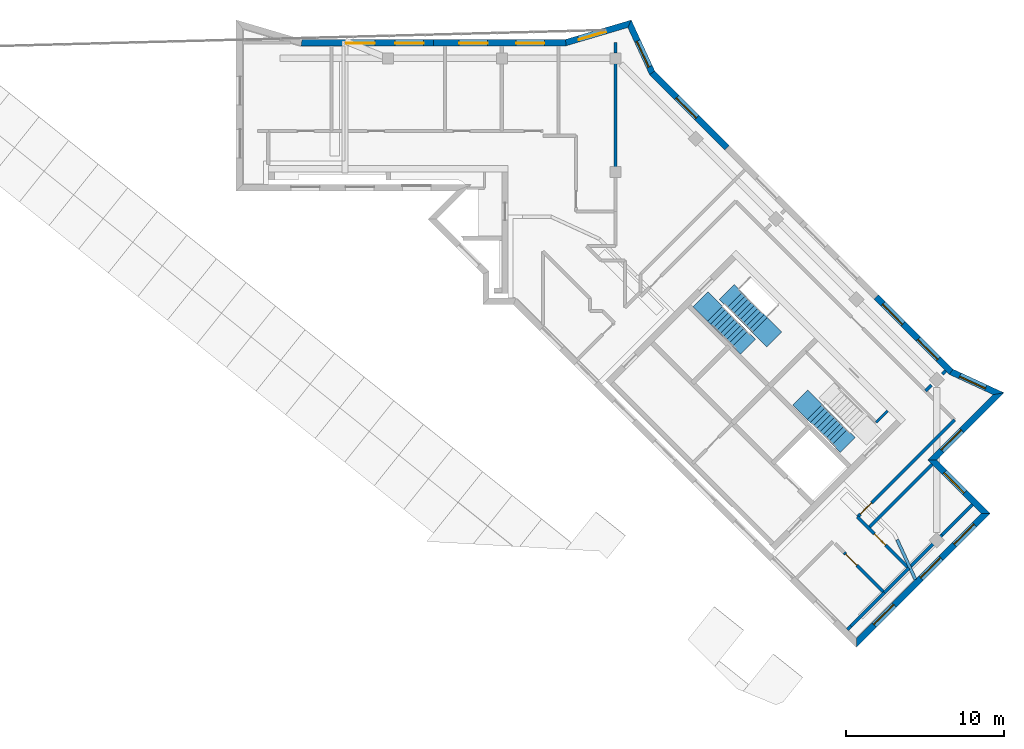
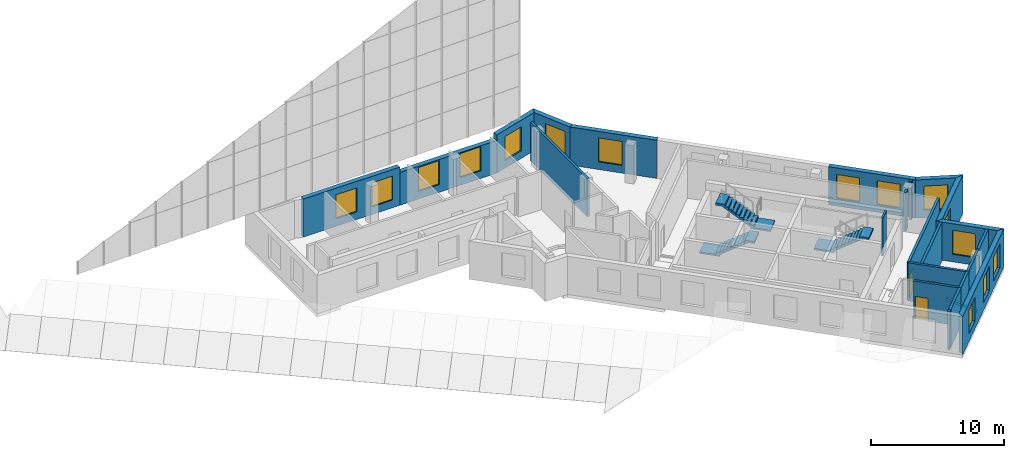
# One storey, part 9 of 13: 25 walls, 15 windows, 3 doors, 3 stair flights, 18 openings, 2 elements without a shape of their own.
"""IFC4 building model written with IfcOpenShell, lengths in metres."""

from ifc_helpers import new_model, si_unit, direction, frame, frame_2d, origin, place, context, subcontext, project, spatial, polyline, rectangle, outline, extrude, material, layer, layer_set, type_object, element, fill, aggregate, save


model = new_model("IFC4")

# Units and contexts
model_context = context("Model", 3, precision=1e-05, world=origin(), true_north=direction((0.0, 1.0)))
body_context = subcontext(model_context, "Body", "Model", "MODEL_VIEW")
ifc_project = project(units=[si_unit("LENGTHUNIT", "METRE"), si_unit("AREAUNIT", "SQUARE_METRE"), si_unit("VOLUMEUNIT", "CUBIC_METRE"), si_unit("PLANEANGLEUNIT", "RADIAN"), si_unit("MASSUNIT", "GRAM", prefix="KILO")], contexts=[model_context])

# Site, building, storey
site_placement = place(None, origin())
site = spatial("IfcSite", under=ifc_project, at=site_placement, CompositionType="ELEMENT")
building_placement = place(site_placement, origin())
building = spatial("IfcBuilding", under=site, at=building_placement, Name="Windrow Commons", CompositionType="ELEMENT")
storey_placement = place(building_placement, frame((0.0, 0.0, 302.0)))
storey = spatial("IfcBuildingStorey", under=building, at=storey_placement, Name="L82", CompositionType="ELEMENT", Elevation=302.0)

# Wall, opening, door
ifc_material_1 = material(Name="Blockwork partition", Category="masonry")
ifc_layer_1 = layer(ifc_material_1, 0.2)
ifc_layer_set_1 = layer_set([ifc_layer_1], Name="IW-CORRIDOR-200")
wall_type_1 = type_object("IfcWallType", Name="IW-CORRIDOR-200", PredefinedType="PARTITIONING", material=ifc_layer_set_1)
wall_1_placement = place(storey_placement, frame((94.5433, 42.9387, 0.0), z_axis=(0.0, 0.0, 1.0), x_axis=(0.7071067812, 0.7071067812, 0.0)))
wall_1 = element("IfcWall", 1, at=wall_1_placement, inside=storey, type_object=wall_type_1, Name="W-L82-W004", PredefinedType="PARTITIONING", context=body_context, shape_type="SweptSolid", body=[
    extrude(rectangle(XDim=8.7002, YDim=0.2, at=frame_2d((4.3501, 0.0))), origin(), (0.0, 0.0, 1.0), 3.5),
])
opening_1_placement = place(wall_1_placement, frame((0.2577, 0.0, 0.0)))
opening_1 = element("IfcOpeningElement", 2, at=opening_1_placement, cuts=wall_1, Name="Opening D410F", PredefinedType="OPENING", context=body_context, shape_type="SweptSolid", body=[
    extrude(rectangle(XDim=1.0, YDim=2.1, at=frame_2d((0.5, 1.05))), frame((0.0, 0.11, 0.0), z_axis=(0.0, -1.0, 0.0), x_axis=(1.0, 0.0, 0.0)), (0.0, 0.0, 1.0), 0.22),
])
ifc_material_2 = material(Name="Timber door leaf", Category="wood")
door_type = type_object("IfcDoorType", Name="DT-SERVICE-1000", OperationType="SINGLE_SWING_LEFT", PredefinedType="DOOR", material=ifc_material_2)
door_1_placement = place(opening_1_placement, origin())
door_1 = element("IfcDoor", 3, at=door_1_placement, inside=storey, type_object=door_type, Name="D-L82-D007", OperationType="SINGLE_SWING_LEFT", OverallHeight=2.1, OverallWidth=1.0, PredefinedType="DOOR", context=body_context, shape_type="SweptSolid", body=[
    extrude(rectangle(XDim=1.0, YDim=2.1, at=frame_2d((0.5, 1.05))), frame((0.0, 0.025, 0.0), z_axis=(0.0, -1.0, 0.0), x_axis=(1.0, 0.0, 0.0)), (0.0, 0.0, 1.0), 0.05),
])
fill(opening_1, door_1)

wall_2_placement = place(storey_placement, frame((94.5409, 42.9349, 0.0), z_axis=(0.0, 0.0, 1.0), x_axis=(0.7071067812, -0.7071067812, 0.0)))
wall_2 = element("IfcWall", 4, at=wall_2_placement, inside=storey, type_object=wall_type_1, Name="W-L82-W013", PredefinedType="PARTITIONING", context=body_context, shape_type="SweptSolid", body=[
    extrude(rectangle(XDim=4.599, YDim=0.2, at=frame_2d((2.2995, 0.0))), origin(), (0.0, 0.0, 1.0), 3.5),
])
opening_2_placement = place(wall_2_placement, frame((1.5252, 0.0, 0.0)))
opening_2 = element("IfcOpeningElement", 5, at=opening_2_placement, cuts=wall_2, Name="Opening D410F", PredefinedType="OPENING", context=body_context, shape_type="SweptSolid", body=[
    extrude(rectangle(XDim=1.0, YDim=2.1, at=frame_2d((0.5, 1.05))), frame((0.0, 0.11, 0.0), z_axis=(0.0, -1.0, 0.0), x_axis=(1.0, 0.0, 0.0)), (0.0, 0.0, 1.0), 0.22),
])
door_2_placement = place(opening_2_placement, origin())
door_2 = element("IfcDoor", 6, at=door_2_placement, inside=storey, type_object=door_type, Name="D-L82-D009", OperationType="SINGLE_SWING_RIGHT", OverallHeight=2.1, OverallWidth=1.0, PredefinedType="DOOR", context=body_context, shape_type="SweptSolid", body=[
    extrude(rectangle(XDim=1.0, YDim=2.1, at=frame_2d((0.5, 1.05))), frame((0.0, 0.025, 0.0), z_axis=(0.0, -1.0, 0.0), x_axis=(1.0, 0.0, 0.0)), (0.0, 0.0, 1.0), 0.05),
])
fill(opening_2, door_2)

wall_3_placement = place(storey_placement, frame((93.6993, 40.6793, 0.0), z_axis=(0.0, 0.0, 1.0), x_axis=(0.7071067812, -0.7071067812, 0.0)))
wall_3 = element("IfcWall", 7, at=wall_3_placement, inside=storey, type_object=wall_type_1, Name="W-L82-W016", PredefinedType="PARTITIONING", context=body_context, shape_type="SweptSolid", body=[
    extrude(rectangle(XDim=3.6006, YDim=0.2, at=frame_2d((1.8003, 0.0))), origin(), (0.0, 0.0, 1.0), 3.5),
])
opening_3_placement = place(wall_3_placement, frame((0.1385, 0.0, 0.0)))
opening_3 = element("IfcOpeningElement", 8, at=opening_3_placement, cuts=wall_3, Name="Opening D410F", PredefinedType="OPENING", context=body_context, shape_type="SweptSolid", body=[
    extrude(rectangle(XDim=1.0, YDim=2.1, at=frame_2d((0.5, 1.05))), frame((0.0, 0.11, 0.0), z_axis=(0.0, -1.0, 0.0), x_axis=(1.0, 0.0, 0.0)), (0.0, 0.0, 1.0), 0.22),
])
door_3_placement = place(opening_3_placement, origin())
door_3 = element("IfcDoor", 9, at=door_3_placement, inside=storey, type_object=door_type, Name="D-L82-D010", OperationType="SINGLE_SWING_LEFT", OverallHeight=2.1, OverallWidth=1.0, PredefinedType="DOOR", context=body_context, shape_type="SweptSolid", body=[
    extrude(rectangle(XDim=1.0, YDim=2.1, at=frame_2d((0.5, 1.05))), frame((0.0, 0.025, 0.0), z_axis=(0.0, -1.0, 0.0), x_axis=(1.0, 0.0, 0.0)), (0.0, 0.0, 1.0), 0.05),
])
fill(opening_3, door_3)

# Walls
wall_4_placement = place(storey_placement, frame((96.2402, 38.1318, 0.0), z_axis=(0.0, 0.0, 1.0), x_axis=(0.706651904, 0.7075613659, 0.0)))
element("IfcWall", 10, at=wall_4_placement, inside=storey, type_object=wall_type_1, Name="W-L82-W023", PredefinedType="PARTITIONING", context=body_context, shape_type="SweptSolid", body=[
    extrude(rectangle(XDim=2.1991, YDim=0.2, at=frame_2d((1.0996, 0.0))), origin(), (0.0, 0.0, 1.0), 3.5),
])
ifc_material_3 = material(Name="Blockwork partition", Category="masonry")
ifc_layer_2 = layer(ifc_material_3, 0.2)
ifc_layer_set_2 = layer_set([ifc_layer_2], Name="IW-PARTY-200")
wall_type_2 = type_object("IfcWallType", Name="IW-PARTY-200", PredefinedType="PARTITIONING", material=ifc_layer_set_2)
wall_5_placement = place(storey_placement, frame((79.2, 64.45, 0.0), z_axis=(0.0, 0.0, 1.0), x_axis=(0.0, 1.0, 0.0)))
element("IfcWall", 11, at=wall_5_placement, inside=storey, type_object=wall_type_2, Name="W-L82-W006", PredefinedType="PARTITIONING", context=body_context, shape_type="SweptSolid", body=[
    extrude(rectangle(XDim=7.9, YDim=0.2, at=frame_2d((3.95, 0.0))), origin(), (0.0, 0.0, 1.0), 3.5),
])
for number, where, z_axis, x_axis, name in (
    (12, (94.123, 36.013, 0.0), (0.0, 0.0, 1.0), (0.7071067812, 0.7071067812, 0.0), "W-L82-W027"),
    (13, (97.796, 39.686, 0.0), (0.0, 0.0, 1.0), (0.7071067812, 0.7071067812, 0.0), "W-L82-W028"),
):
    element("IfcWall", number, at=place(storey_placement, frame(where, z_axis=z_axis, x_axis=x_axis)), inside=storey, type_object=wall_type_2, Name=name, PredefinedType="PARTITIONING", context=body_context, shape_type="SweptSolid", body=[
        extrude(rectangle(XDim=2.9953, YDim=0.2, at=frame_2d((1.4976, 0.0))), origin(), (0.0, 0.0, 1.0), 3.5),
    ])
wall_6_placement = place(storey_placement, frame((79.2, 72.35, 0.0), z_axis=(0.0, 0.0, 1.0), x_axis=(0.0, 1.0, 0.0)))
element("IfcWall", 14, at=wall_6_placement, inside=storey, type_object=wall_type_2, Name="W-L82-W040", PredefinedType="PARTITIONING", context=body_context, shape_type="SweptSolid", body=[
    extrude(rectangle(XDim=0.65, YDim=0.2, at=frame_2d((0.325, 0.0))), origin(), (0.0, 0.0, 1.0), 3.5),
])
wall_7_placement = place(storey_placement, frame((98.8568, 50.9292, 0.0), z_axis=(0.0, 0.0, 1.0), x_axis=(0.7071067812, 0.7071067812, 0.0)))
element("IfcWall", 15, at=wall_7_placement, inside=storey, type_object=wall_type_2, Name="W-L82-W045", PredefinedType="PARTITIONING", context=body_context, shape_type="SweptSolid", body=[
    extrude(rectangle(XDim=0.5063, YDim=0.2, at=frame_2d((0.2531, 0.0))), origin(), (0.0, 0.0, 1.0), 3.5),
])
wall_8_placement = place(storey_placement, frame((95.2504, 42.2316, 0.0), z_axis=(0.0, 0.0, 1.0), x_axis=(0.7071067812, 0.7071067812, 0.0)))
element("IfcWall", 16, at=wall_8_placement, inside=storey, type_object=wall_type_2, Name="W-L82-W007", PredefinedType="PARTITIONING", context=body_context, shape_type="SweptSolid", body=[
    extrude(outline(polyline([(0.0, -0.1), (5.7001, -0.1), (5.7001, 0.1), (0.0, 0.1), (0.0, -0.1)])), origin(), (0.0, 0.0, 1.0), 3.5),
])
wall_9_placement = place(storey_placement, frame((99.914, 41.804, 0.0), z_axis=(0.0, 0.0, 1.0), x_axis=(0.7071067812, 0.7071067812, 0.0)))
element("IfcWall", 17, at=wall_9_placement, inside=storey, type_object=wall_type_2, Name="W-L82-W020", PredefinedType="PARTITIONING", context=body_context, shape_type="SweptSolid", body=[
    extrude(outline(polyline([(0.0, -0.1), (2.7048, -0.1), (2.7048, 0.1), (0.0, 0.1), (0.0, -0.1)])), origin(), (0.0, 0.0, 1.0), 3.5),
])
wall_10_placement = place(storey_placement, frame((99.9167, 51.9833, 0.0), z_axis=(0.0, 0.0, 1.0), x_axis=(0.7087439748, 0.7054657881, 0.0)))
element("IfcWall", 18, at=wall_10_placement, inside=storey, type_object=wall_type_2, Name="W-L82-W042", PredefinedType="PARTITIONING", context=body_context, shape_type="SweptSolid", body=[
    extrude(outline(polyline([(0.0, -0.1), (0.3051, -0.1), (0.3051, 0.1), (0.0, 0.1), (0.0, -0.1)])), origin(), (0.0, 0.0, 1.0), 3.5),
])
wall_11_placement = place(storey_placement, frame((93.907, 35.797, 0.0), z_axis=(0.0, 0.0, 1.0), x_axis=(0.7071067812, 0.7071067812, 0.0)))
element("IfcWall", 19, at=wall_11_placement, inside=storey, type_object=wall_type_2, Name="W-L82-W043", PredefinedType="PARTITIONING", context=body_context, shape_type="SweptSolid", body=[
    extrude(outline(polyline([(0.0, -0.1), (0.3055, -0.1), (0.3055, 0.1), (0.0, 0.1), (0.0, -0.1)])), origin(), (0.0, 0.0, 1.0), 3.5),
])
ifc_material_4 = material(Name="Blockwork partition", Category="masonry")
ifc_layer_3 = layer(ifc_material_4, 0.15)
ifc_layer_set_3 = layer_set([ifc_layer_3], Name="Riser partition 150")
wall_type_3 = type_object("IfcWallType", Name="Riser partition 150", PredefinedType="PARTITIONING", material=ifc_layer_set_3)
wall_12_placement = place(storey_placement, frame((95.7322, 48.9342, 0.0), z_axis=(0.0, 0.0, 1.0), x_axis=(0.7071067812, 0.7071067812, 0.0)))
element("IfcWall", 20, at=wall_12_placement, inside=storey, type_object=wall_type_3, Name="W-core-stripx-B-L82-1", PredefinedType="PARTITIONING", context=body_context, shape_type="SweptSolid", body=[
    extrude(outline(polyline([(0.0, 0.0), (1.0199, 0.0), (1.0199, 3.5), (0.0, 3.5), (0.0, 0.0)])), frame((0.0, 0.075, 0.0), z_axis=(0.0, -1.0, 0.0), x_axis=(1.0, 0.0, 0.0)), (0.0, 0.0, 1.0), 0.15),
])
ifc_material_5 = material(Name="Brick masonry, red clay brick", Category="masonry")
ifc_layer_4 = layer(ifc_material_5, 0.2)
ifc_layer_set_4 = layer_set([ifc_layer_4], Name="Terrace edge parapet 200")
wall_type_4 = type_object("IfcWallType", Name="Terrace edge parapet 200", PredefinedType="PARAPET", material=ifc_layer_set_4)
wall_13_placement = place(storey_placement, frame((98.2153, 38.9722, 0.0), z_axis=(0.0, 0.0, 1.0), x_axis=(-0.4174664315, 0.9086923454, 0.0)))
element("IfcWall", 21, at=wall_13_placement, inside=storey, type_object=wall_type_4, Name="Terrace parapet TR-L82-2.1.1", PredefinedType="PARAPET", context=body_context, shape_type="SweptSolid", body=[
    extrude(outline(polyline([(0.0, -0.1), (2.778, -0.1), (2.778, 0.1), (0.0, 0.1), (0.0, -0.1)])), origin(), (0.0, 0.0, 1.0), 0.25),
])

# Wall, opening, window
ifc_material_6 = material(Name="Standing seam zinc cladding on insulated masonry backing", Category="masonry")
ifc_layer_5 = layer(ifc_material_6, 0.4)
ifc_layer_set_5 = layer_set([ifc_layer_5], Name="Zinc clad crown wall 400")
wall_type_5 = type_object("IfcWallType", Name="Zinc clad crown wall 400", PredefinedType="SOLIDWALL", material=ifc_layer_set_5)
wall_14_placement = place(storey_placement, frame((102.676, 43.15, 0.0), z_axis=(0.0, 0.0, 1.0), x_axis=(-0.7070963646, 0.7071171977, 0.0)))
wall_14 = element("IfcWall", 22, at=wall_14_placement, inside=storey, type_object=wall_type_5, Name="Brick facade wall L82 1", PredefinedType="SOLIDWALL", context=body_context, shape_type="SweptSolid", body=[
    extrude(outline(polyline([(-0.2, -0.2), (4.6001, -0.2), (5.0, 0.2), (0.2, 0.2), (-0.2, -0.2)])), origin(), (0.0, 0.0, 1.0), 3.5),
])
opening_4_placement = place(wall_14_placement, frame((1.9, 0.0, 0.7)))
opening_4 = element("IfcOpeningElement", 23, at=opening_4_placement, cuts=wall_14, Name="Opening W6", PredefinedType="OPENING", context=body_context, shape_type="SweptSolid", body=[
    extrude(rectangle(XDim=1.8, YDim=2.2, at=frame_2d((0.9, 1.1))), frame((0.0, 0.21, 0.0), z_axis=(0.0, -1.0, 0.0), x_axis=(1.0, 0.0, 0.0)), (0.0, 0.0, 1.0), 0.42),
])
ifc_material_7 = material(Name="Clear float glass in anodised aluminium frame", Category="aluminium")
window_type = type_object("IfcWindowType", Name="Window W6 crown 1800x2200", PartitioningType="SINGLE_PANEL", PredefinedType="WINDOW", material=ifc_material_7)
window_1_placement = place(opening_4_placement, origin())
window_1 = element("IfcWindow", 24, at=window_1_placement, inside=storey, type_object=window_type, Name="Window L82 1.1", OverallHeight=2.2, OverallWidth=1.8, PartitioningType="SINGLE_PANEL", PredefinedType="WINDOW", context=body_context, shape_type="SweptSolid", body=[
    extrude(rectangle(XDim=1.8, YDim=2.2, at=frame_2d((0.9, 1.1))), frame((0.0, 0.08, 0.0), z_axis=(0.0, -1.0, 0.0), x_axis=(1.0, 0.0, 0.0)), (0.0, 0.0, 1.0), 0.06),
])
fill(opening_4, window_1)

wall_15_placement = place(storey_placement, frame((99.2819, 46.5442, 0.0), z_axis=(0.0, 0.0, 1.0), x_axis=(0.7071067812, 0.7071067812, 0.0)))
wall_15 = element("IfcWall", 25, at=wall_15_placement, inside=storey, type_object=wall_type_5, Name="Brick facade wall L82 2", PredefinedType="SOLIDWALL", context=body_context, shape_type="SweptSolid", body=[
    extrude(outline(polyline([(0.2, -0.2), (6.23, -0.2), (5.6565, 0.2), (-0.2, 0.2), (0.2, -0.2)])), origin(), (0.0, 0.0, 1.0), 3.5),
])
opening_5_placement = place(wall_15_placement, frame((0.85, 0.0, 0.7)))
opening_5 = element("IfcOpeningElement", 26, at=opening_5_placement, cuts=wall_15, Name="Opening W6", PredefinedType="OPENING", context=body_context, shape_type="SweptSolid", body=[
    extrude(rectangle(XDim=1.8, YDim=2.2, at=frame_2d((0.9, 1.1))), frame((0.0, 0.21, 0.0), z_axis=(0.0, -1.0, 0.0), x_axis=(1.0, 0.0, 0.0)), (0.0, 0.0, 1.0), 0.42),
])
window_2_placement = place(opening_5_placement, origin())
window_2 = element("IfcWindow", 27, at=window_2_placement, inside=storey, type_object=window_type, Name="Window L82 2.1", OverallHeight=2.2, OverallWidth=1.8, PartitioningType="SINGLE_PANEL", PredefinedType="WINDOW", context=body_context, shape_type="SweptSolid", body=[
    extrude(rectangle(XDim=1.8, YDim=2.2, at=frame_2d((0.9, 1.1))), frame((0.0, 0.08, 0.0), z_axis=(0.0, -1.0, 0.0), x_axis=(1.0, 0.0, 0.0)), (0.0, 0.0, 1.0), 0.06),
])
fill(opening_5, window_2)

wall_16_placement = place(storey_placement, frame((103.4844, 50.7467, 0.0), z_axis=(0.0, 0.0, 1.0), x_axis=(-0.9078558767, 0.4192823716, 0.0)))
wall_16 = element("IfcWall", 28, at=wall_16_placement, inside=storey, type_object=wall_type_5, Name="Brick facade wall L82 3", PredefinedType="SOLIDWALL", context=body_context, shape_type="SweptSolid", body=[
    extrude(outline(polyline([(-0.2868, -0.2), (3.2735, -0.2), (3.3448, 0.2), (0.2868, 0.2), (-0.2868, -0.2)])), origin(), (0.0, 0.0, 1.0), 3.5),
])
opening_6_placement = place(wall_16_placement, frame((0.898, 0.0, 0.7)))
opening_6 = element("IfcOpeningElement", 29, at=opening_6_placement, cuts=wall_16, Name="Opening W6", PredefinedType="OPENING", context=body_context, shape_type="SweptSolid", body=[
    extrude(rectangle(XDim=1.8, YDim=2.2, at=frame_2d((0.9, 1.1))), frame((0.0, 0.21, 0.0), z_axis=(0.0, -1.0, 0.0), x_axis=(1.0, 0.0, 0.0)), (0.0, 0.0, 1.0), 0.42),
])
window_3_placement = place(opening_6_placement, origin())
window_3 = element("IfcWindow", 30, at=window_3_placement, inside=storey, type_object=window_type, Name="Window L82 3.1", OverallHeight=2.2, OverallWidth=1.8, PartitioningType="SINGLE_PANEL", PredefinedType="WINDOW", context=body_context, shape_type="SweptSolid", body=[
    extrude(rectangle(XDim=1.8, YDim=2.2, at=frame_2d((0.9, 1.1))), frame((0.0, 0.08, 0.0), z_axis=(0.0, -1.0, 0.0), x_axis=(1.0, 0.0, 0.0)), (0.0, 0.0, 1.0), 0.06),
])
fill(opening_6, window_3)

# Wall, openings, windows
wall_17_placement = place(storey_placement, frame((100.4801, 52.1342, 0.0), z_axis=(0.0, 0.0, 1.0), x_axis=(-0.7071067812, 0.7071067812, 0.0)))
wall_17 = element("IfcWall", 31, at=wall_17_placement, inside=storey, type_object=wall_type_5, Name="Brick facade wall L82 4", PredefinedType="SOLIDWALL", context=body_context, shape_type="SweptSolid", body=[
    extrude(outline(polyline([(0.0356, -0.2), (6.7178, -0.2), (6.7178, 0.2), (-0.0356, 0.2), (0.0356, -0.2)])), origin(), (0.0, 0.0, 1.0), 3.5),
])
opening_7_placement = place(wall_17_placement, frame((1.1473, 0.0, 0.7)))
opening_7 = element("IfcOpeningElement", 32, at=opening_7_placement, cuts=wall_17, Name="Opening W6", PredefinedType="OPENING", context=body_context, shape_type="SweptSolid", body=[
    extrude(rectangle(XDim=1.8, YDim=2.2, at=frame_2d((0.9, 1.1))), frame((0.0, 0.21, 0.0), z_axis=(0.0, -1.0, 0.0), x_axis=(1.0, 0.0, 0.0)), (0.0, 0.0, 1.0), 0.42),
])
opening_8_placement = place(wall_17_placement, frame((4.3062, 0.0, 0.7)))
opening_8 = element("IfcOpeningElement", 33, at=opening_8_placement, cuts=wall_17, Name="Opening W6", PredefinedType="OPENING", context=body_context, shape_type="SweptSolid", body=[
    extrude(rectangle(XDim=1.8, YDim=2.2, at=frame_2d((0.9, 1.1))), frame((0.0, 0.21, 0.0), z_axis=(0.0, -1.0, 0.0), x_axis=(1.0, 0.0, 0.0)), (0.0, 0.0, 1.0), 0.42),
])
window_4_placement = place(opening_7_placement, origin())
window_4 = element("IfcWindow", 34, at=window_4_placement, inside=storey, type_object=window_type, Name="Window L82 4.1", OverallHeight=2.2, OverallWidth=1.8, PartitioningType="SINGLE_PANEL", PredefinedType="WINDOW", context=body_context, shape_type="SweptSolid", body=[
    extrude(rectangle(XDim=1.8, YDim=2.2, at=frame_2d((0.9, 1.1))), frame((0.0, 0.08, 0.0), z_axis=(0.0, -1.0, 0.0), x_axis=(1.0, 0.0, 0.0)), (0.0, 0.0, 1.0), 0.06),
])
fill(opening_7, window_4)
window_5_placement = place(opening_8_placement, origin())
window_5 = element("IfcWindow", 35, at=window_5_placement, inside=storey, type_object=window_type, Name="Window L82 4.2", OverallHeight=2.2, OverallWidth=1.8, PartitioningType="SINGLE_PANEL", PredefinedType="WINDOW", context=body_context, shape_type="SweptSolid", body=[
    extrude(rectangle(XDim=1.8, YDim=2.2, at=frame_2d((0.9, 1.1))), frame((0.0, 0.08, 0.0), z_axis=(0.0, -1.0, 0.0), x_axis=(1.0, 0.0, 0.0)), (0.0, 0.0, 1.0), 0.06),
])
fill(opening_8, window_5)

# Wall, opening, window
wall_18_placement = place(storey_placement, frame((86.2799, 66.3343, 0.0), z_axis=(0.0, 0.0, 1.0), x_axis=(-0.7071067812, 0.7071067812, 0.0)))
wall_18 = element("IfcWall", 36, at=wall_18_placement, inside=storey, type_object=wall_type_5, Name="Brick facade wall L82 7", PredefinedType="SOLIDWALL", context=body_context, shape_type="SweptSolid", body=[
    extrude(outline(polyline([(0.0, -0.2), (6.6821, -0.2), (6.7534, 0.2), (0.0, 0.2), (0.0, -0.2)])), origin(), (0.0, 0.0, 1.0), 3.5),
])
opening_9_placement = place(wall_18_placement, frame((2.7125, 0.0, 0.7)))
opening_9 = element("IfcOpeningElement", 37, at=opening_9_placement, cuts=wall_18, Name="Opening W6", PredefinedType="OPENING", context=body_context, shape_type="SweptSolid", body=[
    extrude(rectangle(XDim=1.8, YDim=2.2, at=frame_2d((0.9, 1.1))), frame((0.0, 0.21, 0.0), z_axis=(0.0, -1.0, 0.0), x_axis=(1.0, 0.0, 0.0)), (0.0, 0.0, 1.0), 0.42),
])
window_6_placement = place(opening_9_placement, origin())
window_6 = element("IfcWindow", 38, at=window_6_placement, inside=storey, type_object=window_type, Name="Window L82 7.1", OverallHeight=2.2, OverallWidth=1.8, PartitioningType="SINGLE_PANEL", PredefinedType="WINDOW", context=body_context, shape_type="SweptSolid", body=[
    extrude(rectangle(XDim=1.8, YDim=2.2, at=frame_2d((0.9, 1.1))), frame((0.0, 0.08, 0.0), z_axis=(0.0, -1.0, 0.0), x_axis=(1.0, 0.0, 0.0)), (0.0, 0.0, 1.0), 0.06),
])
fill(opening_9, window_6)

wall_19_placement = place(storey_placement, frame((81.5297, 71.0845, 0.0), z_axis=(0.0, 0.0, 1.0), x_axis=(-0.4192693569, 0.9078618873, 0.0)))
wall_19 = element("IfcWall", 39, at=wall_19_placement, inside=storey, type_object=wall_type_5, Name="Brick facade wall L82 8", PredefinedType="SOLIDWALL", context=body_context, shape_type="SweptSolid", body=[
    extrude(outline(polyline([(0.0356, -0.2), (3.5959, -0.2), (3.2502, 0.2), (-0.0356, 0.2), (0.0356, -0.2)])), origin(), (0.0, 0.0, 1.0), 3.5),
])
opening_10_placement = place(wall_19_placement, frame((0.4226, 0.0, 0.7)))
opening_10 = element("IfcOpeningElement", 40, at=opening_10_placement, cuts=wall_19, Name="Opening W6", PredefinedType="OPENING", context=body_context, shape_type="SweptSolid", body=[
    extrude(rectangle(XDim=1.8, YDim=2.2, at=frame_2d((0.9, 1.1))), frame((0.0, 0.21, 0.0), z_axis=(0.0, -1.0, 0.0), x_axis=(1.0, 0.0, 0.0)), (0.0, 0.0, 1.0), 0.42),
])
window_7_placement = place(opening_10_placement, origin())
window_7 = element("IfcWindow", 41, at=window_7_placement, inside=storey, type_object=window_type, Name="Window L82 8.1", OverallHeight=2.2, OverallWidth=1.8, PartitioningType="SINGLE_PANEL", PredefinedType="WINDOW", context=body_context, shape_type="SweptSolid", body=[
    extrude(rectangle(XDim=1.8, YDim=2.2, at=frame_2d((0.9, 1.1))), frame((0.0, 0.08, 0.0), z_axis=(0.0, -1.0, 0.0), x_axis=(1.0, 0.0, 0.0)), (0.0, 0.0, 1.0), 0.06),
])
fill(opening_10, window_7)

wall_20_placement = place(storey_placement, frame((80.0945, 74.1922, 0.0), z_axis=(0.0, 0.0, 1.0), x_axis=(-0.9590112491, -0.2833680012, 0.0)))
wall_20 = element("IfcWall", 42, at=wall_20_placement, inside=storey, type_object=wall_type_5, Name="Brick facade wall L82 9", PredefinedType="SOLIDWALL", context=body_context, shape_type="SweptSolid", body=[
    extrude(outline(polyline([(-0.1729, -0.2), (4.1783, -0.2), (4.2361, 0.2), (0.1729, 0.2), (-0.1729, -0.2)])), origin(), (0.0, 0.0, 1.0), 3.5),
])
opening_11_placement = place(wall_20_placement, frame((1.57, 0.0, 0.7)))
opening_11 = element("IfcOpeningElement", 43, at=opening_11_placement, cuts=wall_20, Name="Opening W6", PredefinedType="OPENING", context=body_context, shape_type="SweptSolid", body=[
    extrude(rectangle(XDim=1.8, YDim=2.2, at=frame_2d((0.9, 1.1))), frame((0.0, 0.21, 0.0), z_axis=(0.0, -1.0, 0.0), x_axis=(1.0, 0.0, 0.0)), (0.0, 0.0, 1.0), 0.42),
])
window_8_placement = place(opening_11_placement, origin())
window_8 = element("IfcWindow", 44, at=window_8_placement, inside=storey, type_object=window_type, Name="Window L82 9.1", OverallHeight=2.2, OverallWidth=1.8, PartitioningType="SINGLE_PANEL", PredefinedType="WINDOW", context=body_context, shape_type="SweptSolid", body=[
    extrude(rectangle(XDim=1.8, YDim=2.2, at=frame_2d((0.9, 1.1))), frame((0.0, 0.08, 0.0), z_axis=(0.0, -1.0, 0.0), x_axis=(1.0, 0.0, 0.0)), (0.0, 0.0, 1.0), 0.06),
])
fill(opening_11, window_8)

# Wall, openings, windows
wall_21_placement = place(storey_placement, frame((76.0597, 73.0, 0.0), z_axis=(0.0, 0.0, 1.0), x_axis=(-1.0, 0.0, 0.0)))
wall_21 = element("IfcWall", 45, at=wall_21_placement, inside=storey, type_object=wall_type_5, Name="Brick facade wall L82 10", PredefinedType="SOLIDWALL", context=body_context, shape_type="SweptSolid", body=[
    extrude(outline(polyline([(0.0289, -0.2), (8.3745, -0.2), (8.3745, 0.2), (-0.0289, 0.2), (0.0289, -0.2)])), origin(), (0.0, 0.0, 1.0), 3.0),
])
opening_12_placement = place(wall_21_placement, frame((1.3597, 0.0, 0.7)))
opening_12 = element("IfcOpeningElement", 46, at=opening_12_placement, cuts=wall_21, Name="Opening W6", PredefinedType="OPENING", context=body_context, shape_type="SweptSolid", body=[
    extrude(rectangle(XDim=1.8, YDim=2.2, at=frame_2d((0.9, 1.1))), frame((0.0, 0.21, 0.0), z_axis=(0.0, -1.0, 0.0), x_axis=(1.0, 0.0, 0.0)), (0.0, 0.0, 1.0), 0.42),
])
opening_13_placement = place(wall_21_placement, frame((4.9597, 0.0, 0.7)))
opening_13 = element("IfcOpeningElement", 47, at=opening_13_placement, cuts=wall_21, Name="Opening W6", PredefinedType="OPENING", context=body_context, shape_type="SweptSolid", body=[
    extrude(rectangle(XDim=1.8, YDim=2.2, at=frame_2d((0.9, 1.1))), frame((0.0, 0.21, 0.0), z_axis=(0.0, -1.0, 0.0), x_axis=(1.0, 0.0, 0.0)), (0.0, 0.0, 1.0), 0.42),
])
window_9_placement = place(opening_12_placement, origin())
window_9 = element("IfcWindow", 48, at=window_9_placement, inside=storey, type_object=window_type, Name="Window L82 10.1", OverallHeight=2.2, OverallWidth=1.8, PartitioningType="SINGLE_PANEL", PredefinedType="WINDOW", context=body_context, shape_type="SweptSolid", body=[
    extrude(rectangle(XDim=1.8, YDim=2.2, at=frame_2d((0.9, 1.1))), frame((0.0, 0.08, 0.0), z_axis=(0.0, -1.0, 0.0), x_axis=(1.0, 0.0, 0.0)), (0.0, 0.0, 1.0), 0.06),
])
fill(opening_12, window_9)
window_10_placement = place(opening_13_placement, origin())
window_10 = element("IfcWindow", 49, at=window_10_placement, inside=storey, type_object=window_type, Name="Window L82 10.2", OverallHeight=2.2, OverallWidth=1.8, PartitioningType="SINGLE_PANEL", PredefinedType="WINDOW", context=body_context, shape_type="SweptSolid", body=[
    extrude(rectangle(XDim=1.8, YDim=2.2, at=frame_2d((0.9, 1.1))), frame((0.0, 0.08, 0.0), z_axis=(0.0, -1.0, 0.0), x_axis=(1.0, 0.0, 0.0)), (0.0, 0.0, 1.0), 0.06),
])
fill(opening_13, window_10)

wall_22_placement = place(storey_placement, frame((67.6853, 73.0, 0.0), z_axis=(0.0, 0.0, 1.0), x_axis=(-1.0, 0.0, 0.0)))
wall_22 = element("IfcWall", 50, at=wall_22_placement, inside=storey, type_object=wall_type_5, Name="Brick facade wall L82 11", PredefinedType="SOLIDWALL", context=body_context, shape_type="SweptSolid", body=[
    extrude(outline(polyline([(0.0, -0.2), (8.3455, -0.2), (8.4034, 0.2), (0.0, 0.2), (0.0, -0.2)])), origin(), (0.0, 0.0, 1.0), 3.5),
])
opening_14_placement = place(wall_22_placement, frame((0.6426, 0.0, 0.7)))
opening_14 = element("IfcOpeningElement", 51, at=opening_14_placement, cuts=wall_22, Name="Opening W6", PredefinedType="OPENING", context=body_context, shape_type="SweptSolid", body=[
    extrude(rectangle(XDim=1.8, YDim=2.2, at=frame_2d((0.9, 1.1))), frame((0.0, 0.21, 0.0), z_axis=(0.0, -1.0, 0.0), x_axis=(1.0, 0.0, 0.0)), (0.0, 0.0, 1.0), 0.42),
])
opening_15_placement = place(wall_22_placement, frame((3.7353, 0.0, 0.7)))
opening_15 = element("IfcOpeningElement", 52, at=opening_15_placement, cuts=wall_22, Name="Opening W6", PredefinedType="OPENING", context=body_context, shape_type="SweptSolid", body=[
    extrude(rectangle(XDim=1.8, YDim=2.2, at=frame_2d((0.9, 1.1))), frame((0.0, 0.21, 0.0), z_axis=(0.0, -1.0, 0.0), x_axis=(1.0, 0.0, 0.0)), (0.0, 0.0, 1.0), 0.42),
])
window_11_placement = place(opening_14_placement, origin())
window_11 = element("IfcWindow", 53, at=window_11_placement, inside=storey, type_object=window_type, Name="Window L82 11.1", OverallHeight=2.2, OverallWidth=1.8, PartitioningType="SINGLE_PANEL", PredefinedType="WINDOW", context=body_context, shape_type="SweptSolid", body=[
    extrude(rectangle(XDim=1.8, YDim=2.2, at=frame_2d((0.9, 1.1))), frame((0.0, 0.08, 0.0), z_axis=(0.0, -1.0, 0.0), x_axis=(1.0, 0.0, 0.0)), (0.0, 0.0, 1.0), 0.06),
])
fill(opening_14, window_11)
window_12_placement = place(opening_15_placement, origin())
window_12 = element("IfcWindow", 54, at=window_12_placement, inside=storey, type_object=window_type, Name="Window L82 11.2", OverallHeight=2.2, OverallWidth=1.8, PartitioningType="SINGLE_PANEL", PredefinedType="WINDOW", context=body_context, shape_type="SweptSolid", body=[
    extrude(rectangle(XDim=1.8, YDim=2.2, at=frame_2d((0.9, 1.1))), frame((0.0, 0.08, 0.0), z_axis=(0.0, -1.0, 0.0), x_axis=(1.0, 0.0, 0.0)), (0.0, 0.0, 1.0), 0.06),
])
fill(opening_15, window_12)

wall_23_placement = place(storey_placement, frame((94.4735, 34.9476, 0.0), z_axis=(0.0, 0.0, 1.0), x_axis=(0.7071110915, 0.7071024708, 0.0)))
wall_23 = element("IfcWall", 55, at=wall_23_placement, inside=storey, type_object=wall_type_5, Name="Brick facade wall L82 20", PredefinedType="SOLIDWALL", context=body_context, shape_type="SweptSolid", body=[
    extrude(outline(polyline([(-0.2, -0.2), (11.8, -0.2), (11.4, 0.2), (0.2, 0.2), (-0.2, -0.2)])), origin(), (0.0, 0.0, 1.0), 3.5),
])
opening_16_placement = place(wall_23_placement, frame((1.6, 0.0, 0.7)))
opening_16 = element("IfcOpeningElement", 56, at=opening_16_placement, cuts=wall_23, Name="Opening W6", PredefinedType="OPENING", context=body_context, shape_type="SweptSolid", body=[
    extrude(rectangle(XDim=1.8, YDim=2.2, at=frame_2d((0.9, 1.1))), frame((0.0, 0.21, 0.0), z_axis=(0.0, -1.0, 0.0), x_axis=(1.0, 0.0, 0.0)), (0.0, 0.0, 1.0), 0.42),
])
opening_17_placement = place(wall_23_placement, frame((5.8, 0.0, 0.7)))
opening_17 = element("IfcOpeningElement", 57, at=opening_17_placement, cuts=wall_23, Name="Opening W6", PredefinedType="OPENING", context=body_context, shape_type="SweptSolid", body=[
    extrude(rectangle(XDim=1.8, YDim=2.2, at=frame_2d((0.9, 1.1))), frame((0.0, 0.21, 0.0), z_axis=(0.0, -1.0, 0.0), x_axis=(1.0, 0.0, 0.0)), (0.0, 0.0, 1.0), 0.42),
])
opening_18_placement = place(wall_23_placement, frame((8.8, 0.0, 0.7)))
opening_18 = element("IfcOpeningElement", 58, at=opening_18_placement, cuts=wall_23, Name="Opening W6", PredefinedType="OPENING", context=body_context, shape_type="SweptSolid", body=[
    extrude(rectangle(XDim=1.8, YDim=2.2, at=frame_2d((0.9, 1.1))), frame((0.0, 0.21, 0.0), z_axis=(0.0, -1.0, 0.0), x_axis=(1.0, 0.0, 0.0)), (0.0, 0.0, 1.0), 0.42),
])
window_13_placement = place(opening_16_placement, origin())
window_13 = element("IfcWindow", 59, at=window_13_placement, inside=storey, type_object=window_type, Name="Window L82 20.1", OverallHeight=2.2, OverallWidth=1.8, PartitioningType="SINGLE_PANEL", PredefinedType="WINDOW", context=body_context, shape_type="SweptSolid", body=[
    extrude(rectangle(XDim=1.8, YDim=2.2, at=frame_2d((0.9, 1.1))), frame((0.0, 0.08, 0.0), z_axis=(0.0, -1.0, 0.0), x_axis=(1.0, 0.0, 0.0)), (0.0, 0.0, 1.0), 0.06),
])
fill(opening_16, window_13)
window_14_placement = place(opening_17_placement, origin())
window_14 = element("IfcWindow", 60, at=window_14_placement, inside=storey, type_object=window_type, Name="Window L82 20.2", OverallHeight=2.2, OverallWidth=1.8, PartitioningType="SINGLE_PANEL", PredefinedType="WINDOW", context=body_context, shape_type="SweptSolid", body=[
    extrude(rectangle(XDim=1.8, YDim=2.2, at=frame_2d((0.9, 1.1))), frame((0.0, 0.08, 0.0), z_axis=(0.0, -1.0, 0.0), x_axis=(1.0, 0.0, 0.0)), (0.0, 0.0, 1.0), 0.06),
])
fill(opening_17, window_14)
window_15_placement = place(opening_18_placement, origin())
window_15 = element("IfcWindow", 61, at=window_15_placement, inside=storey, type_object=window_type, Name="Window L82 20.3", OverallHeight=2.2, OverallWidth=1.8, PartitioningType="SINGLE_PANEL", PredefinedType="WINDOW", context=body_context, shape_type="SweptSolid", body=[
    extrude(rectangle(XDim=1.8, YDim=2.2, at=frame_2d((0.9, 1.1))), frame((0.0, 0.08, 0.0), z_axis=(0.0, -1.0, 0.0), x_axis=(1.0, 0.0, 0.0)), (0.0, 0.0, 1.0), 0.06),
])
fill(opening_18, window_15)

# Stair, stair flights
ifc_material_8 = material(Name="Concrete C40/50", Category="concrete")
stair_type = type_object("IfcStairType", Name="Core stair", PredefinedType="HALF_TURN_STAIR", material=ifc_material_8)
placement = place(storey_placement, origin())
stair_1 = element("IfcStair", 62, at=placement, inside=storey, type_object=stair_type, Name="L82 Exit stair B1 core B", PredefinedType="HALF_TURN_STAIR")
ifc_material_9 = material(Name="Concrete C40/50", Category="concrete")
stair_flight_type = type_object("IfcStairFlightType", Name="Core stair flight", PredefinedType="STRAIGHT", material=ifc_material_9)
stair_flight_1_placement = place(storey_placement, frame((85.5109, 55.8249, 0.0), z_axis=(0.0, 0.0, 1.0), x_axis=(0.7071067812, -0.7071067812, 0.0)))
stair_flight_1 = element("IfcStairFlight", 63, at=stair_flight_1_placement, type_object=stair_flight_type, Name="ST-B1 flight 1", NumberOfRisers=10, NumberOfTreads=9, PredefinedType="STRAIGHT", RiserHeight=0.19, TreadLength=0.28, context=body_context, shape_type="SweptSolid", body=[
    extrude(outline(polyline([(-1.3, -0.15), (-1.3, 0.0), (0.0, 0.0), (0.0, 0.19), (0.28, 0.19), (0.28, 0.38), (0.56, 0.38), (0.56, 0.57), (0.84, 0.57), (0.84, 0.76), (1.12, 0.76), (1.12, 0.95), (1.4, 0.95), (1.4, 1.14), (1.68, 1.14), (1.68, 1.33), (1.96, 1.33), (1.96, 1.52), (2.24, 1.52), (2.24, 1.71), (2.52, 1.71), (2.97, 1.71), (2.97, 1.51), (2.52, 1.51), (2.52, 1.5287), (0.2671, 0.0), (0.2671, -0.15), (-1.3, -0.15)])), frame((0.0, 0.675, 0.0), z_axis=(0.0, -1.0, 0.0), x_axis=(1.0, 0.0, 0.0)), (0.0, 0.0, 1.0), 1.35),
])
stair_flight_2_placement = place(storey_placement, frame((88.3535, 55.1037, 1.9), z_axis=(0.0, 0.0, 1.0), x_axis=(-0.7071067812, 0.7071067812, 0.0)))
stair_flight_2 = element("IfcStairFlight", 64, at=stair_flight_2_placement, type_object=stair_flight_type, Name="ST-B1 flight 2", NumberOfRisers=10, NumberOfTreads=9, PredefinedType="STRAIGHT", RiserHeight=0.19, TreadLength=0.28, context=body_context, shape_type="SweptSolid", body=[
    extrude(outline(polyline([(-1.3, -0.15), (-1.3, 0.0), (0.0, 0.0), (0.0, 0.19), (0.28, 0.19), (0.28, 0.38), (0.56, 0.38), (0.56, 0.57), (0.84, 0.57), (0.84, 0.76), (1.12, 0.76), (1.12, 0.95), (1.4, 0.95), (1.4, 1.14), (1.68, 1.14), (1.68, 1.33), (1.96, 1.33), (1.96, 1.52), (2.24, 1.52), (2.24, 1.71), (2.52, 1.71), (2.97, 1.71), (2.97, 1.51), (2.52, 1.51), (2.52, 1.5287), (0.2671, 0.0), (0.2671, -0.15), (-1.3, -0.15)])), frame((0.0, 0.675, 0.0), z_axis=(0.0, -1.0, 0.0), x_axis=(1.0, 0.0, 0.0)), (0.0, 0.0, 1.0), 1.35),
])
aggregate(stair_1, [stair_flight_1, stair_flight_2])

# Stair, stair flight
stair_2 = element("IfcStair", 65, at=placement, inside=storey, type_object=stair_type, Name="L82 Exit stair B2 core B", PredefinedType="HALF_TURN_STAIR")
stair_flight_3_placement = place(storey_placement, frame((91.8289, 49.5847, 1.9), z_axis=(0.0, 0.0, 1.0), x_axis=(0.7071067812, -0.7071067812, 0.0)))
stair_flight_3 = element("IfcStairFlight", 66, at=stair_flight_3_placement, type_object=stair_flight_type, Name="ST-B2 flight 2", NumberOfRisers=10, NumberOfTreads=9, PredefinedType="STRAIGHT", RiserHeight=0.19, TreadLength=0.28, context=body_context, shape_type="SweptSolid", body=[
    extrude(outline(polyline([(-1.3, -0.15), (-1.3, 0.0), (0.0, 0.0), (0.0, 0.19), (0.28, 0.19), (0.28, 0.38), (0.56, 0.38), (0.56, 0.57), (0.84, 0.57), (0.84, 0.76), (1.12, 0.76), (1.12, 0.95), (1.4, 0.95), (1.4, 1.14), (1.68, 1.14), (1.68, 1.33), (1.96, 1.33), (1.96, 1.52), (2.24, 1.52), (2.24, 1.71), (2.52, 1.71), (2.97, 1.71), (2.97, 1.51), (2.52, 1.51), (2.52, 1.5287), (0.2671, 0.0), (0.2671, -0.15), (-1.3, -0.15)])), frame((0.0, 0.675, 0.0), z_axis=(0.0, -1.0, 0.0), x_axis=(1.0, 0.0, 0.0)), (0.0, 0.0, 1.0), 1.35),
])
aggregate(stair_2, [stair_flight_3])

save(model, "model.ifc")
